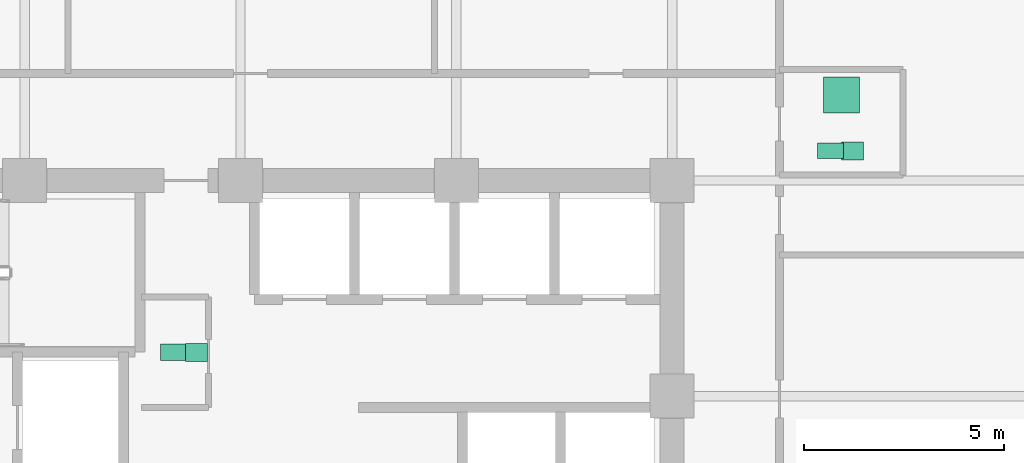
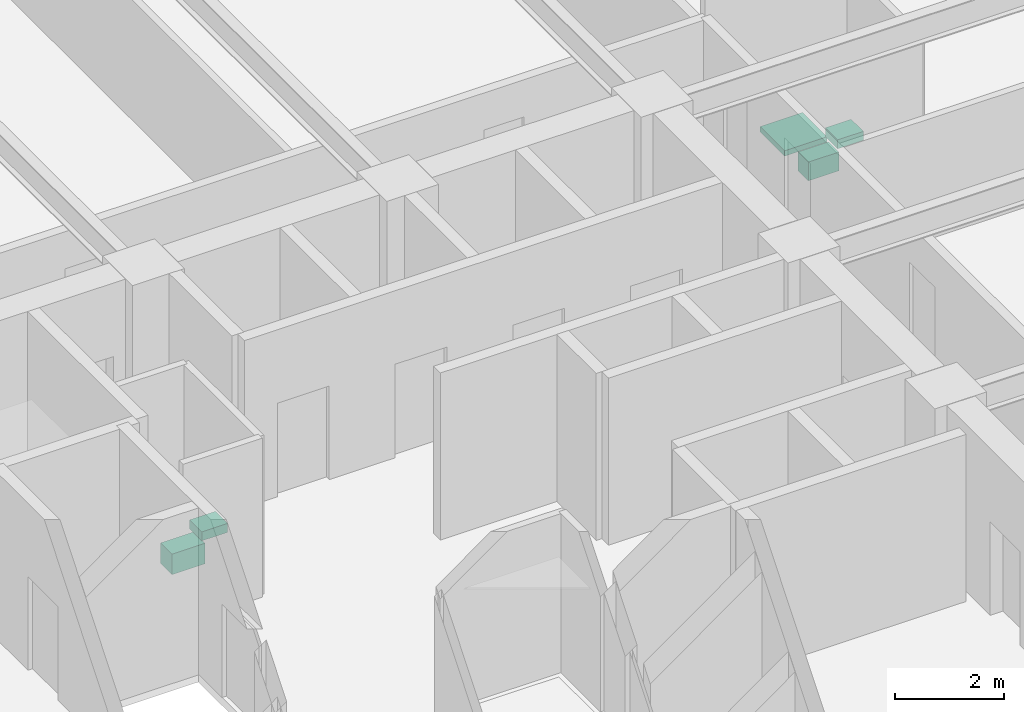
# One storey, part 23 of 23: 5 sanitary terminals.
"""IFC4 building model written with IfcOpenShell, lengths in metres."""

from ifc_helpers import new_model, si_unit, direction, frame, origin, origin_2d, place, context, subcontext, project, spatial, rectangle, extrude, material, type_object, element, save


model = new_model("IFC4")

# Units and contexts
model_context = context("Model", 3, precision=1e-05, world=origin(), true_north=direction((0.0, 1.0)))
body_context = subcontext(model_context, "Body", "Model", "MODEL_VIEW")
ifc_project = project(units=[si_unit("LENGTHUNIT", "METRE"), si_unit("AREAUNIT", "SQUARE_METRE"), si_unit("VOLUMEUNIT", "CUBIC_METRE"), si_unit("PLANEANGLEUNIT", "RADIAN"), si_unit("MASSUNIT", "GRAM", prefix="KILO")], contexts=[model_context])

# Site, building, storey
site_placement = place(None, origin())
site = spatial("IfcSite", under=ifc_project, at=site_placement, CompositionType="ELEMENT")
building_placement = place(site_placement, origin())
building = spatial("IfcBuilding", under=site, at=building_placement, Name="Surkhivell Harbour Commons", CompositionType="ELEMENT")
storey_placement = place(building_placement, frame((0.0, 0.0, 135.75)))
storey = spatial("IfcBuildingStorey", under=building, at=storey_placement, Name="L35", CompositionType="ELEMENT", Elevation=135.75)

# Sanitary terminals
ifc_material_1 = material(Name="Vitreous china washbasin", Category="other")
sanitary_terminal_type_1 = type_object("IfcSanitaryTerminalType", Name="SAN-BSN", PredefinedType="WASHHANDBASIN", material=ifc_material_1)
for number, where, z_axis, x_axis, name in (
    (1, (-1.10009765625, 6.5, 0.72021484375), (0.0, 0.0, 1.0), (1.0, 0.0, 0.0), "L35 Core Accessible WC Washbasin"),
    (2, (15.31005859375, 11.5400390625, 0.72021484375), (0.0, 0.0, 1.0), (1.0, 0.0, 0.0), "L35 East Communal Bathroom WC Washbasin"),
):
    element("IfcSanitaryTerminal", number, at=place(storey_placement, frame(where, z_axis=z_axis, x_axis=x_axis)), inside=storey, type_object=sanitary_terminal_type_1, Name=name, PredefinedType="WASHHANDBASIN", context=body_context, shape_type="SweptSolid", body=[
        extrude(rectangle(XDim=0.550048828125, YDim=0.449951171875, at=origin_2d()), origin(), (0.0, 0.0, 1.0), 0.199951171875),
    ])
ifc_material_2 = material(Name="Glazed porcelain shower tray", Category="other")
sanitary_terminal_type_2 = type_object("IfcSanitaryTerminalType", Name="SAN-SHW", PredefinedType="SHOWER", material=ifc_material_2)
sanitary_terminal_1_placement = place(storey_placement, frame((15.0400390625, 12.93994140625, 0.0), z_axis=(0.0, 0.0, 1.0), x_axis=(1.0, 0.0, 0.0)))
element("IfcSanitaryTerminal", 3, at=sanitary_terminal_1_placement, inside=storey, type_object=sanitary_terminal_type_2, Name="L35 East Communal Shower Tray", PredefinedType="SHOWER", context=body_context, shape_type="SweptSolid", body=[
    extrude(rectangle(XDim=0.89990234375, YDim=0.89990234375, at=origin_2d()), origin(), (0.0, 0.0, 1.0), 0.1201171875),
])
ifc_material_3 = material(Name="Vitreous china sanitaryware", Category="other")
sanitary_terminal_type_3 = type_object("IfcSanitaryTerminalType", Name="SAN-WC-ACC", PredefinedType="TOILETPAN", material=ifc_material_3)
sanitary_terminal_2_placement = place(storey_placement, frame((-1.64990234375, 6.5, 0.169921875), z_axis=(0.0, 0.0, 1.0), x_axis=(1.0, 0.0, 0.0)))
element("IfcSanitaryTerminal", 4, at=sanitary_terminal_2_placement, inside=storey, type_object=sanitary_terminal_type_3, Name="L35 Core Accessible WC", PredefinedType="TOILETPAN", context=body_context, shape_type="SweptSolid", body=[
    extrude(rectangle(XDim=0.699951171875, YDim=0.419921875, at=origin_2d()), origin(), (0.0, 0.0, 1.0), 0.4599609375),
])
sanitary_terminal_type_4 = type_object("IfcSanitaryTerminalType", Name="SAN-WC-STD", PredefinedType="TOILETPAN", material=ifc_material_3)
sanitary_terminal_3_placement = place(storey_placement, frame((14.760009765625, 11.5400390625, 0.18994140625), z_axis=(0.0, 0.0, 1.0), x_axis=(1.0, 0.0, 0.0)))
element("IfcSanitaryTerminal", 5, at=sanitary_terminal_3_placement, inside=storey, type_object=sanitary_terminal_type_4, Name="L35 East Communal Bathroom WC", PredefinedType="TOILETPAN", context=body_context, shape_type="SweptSolid", body=[
    extrude(rectangle(XDim=0.64990234375, YDim=0.3798828125, at=origin_2d()), origin(), (0.0, 0.0, 1.0), 0.419921875),
])

save(model, "model.ifc")
